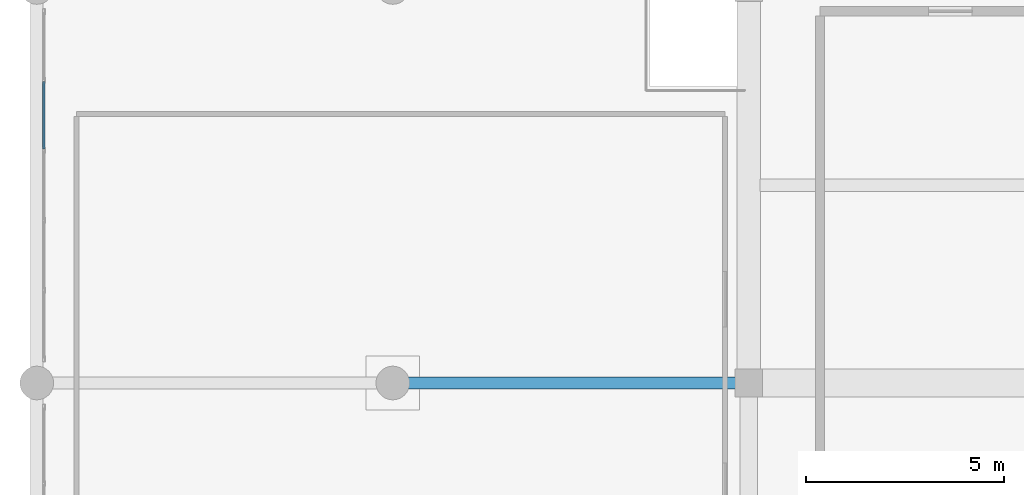
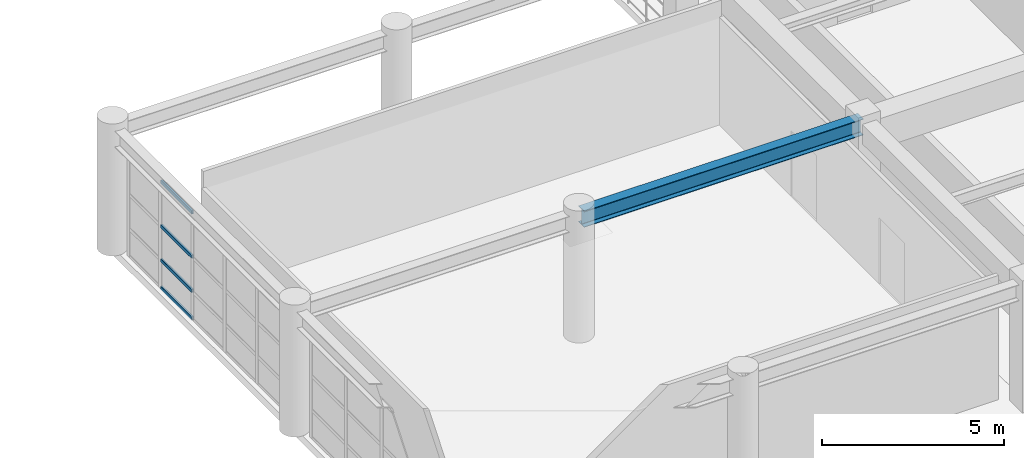
# One storey, part 22 of 133: 4 members, 1 beam, 1 element without a shape of its own.
"""IFC4 building model written with IfcOpenShell, lengths in metres."""

import ifcopenshell
import ifcopenshell.guid

model = None  # the IFC model being written
_history = None  # IfcOwnerHistory: only IFC2X3 demands one
_inside = {}  # id of a spatial element -> (the spatial element, [elements in it])
_under = {}  # id of a project, library or spatial element -> (it, [spatial elements below it])
_declared = {}  # id of a project -> (the project, [libraries it declares])
_typed = {}  # id of a type object -> (the type object, [elements of that type])
_made_of = {}  # id of a material, layer set ... -> (it, [elements and type objects made of it])


def new_model(schema):
    """Start an empty IFC model of exactly this schema.

    Asked for "IFC4X3", IfcOpenShell would pick the latest addendum, in which some entities
    have other attributes; the version numbers below select the first issue.
    IFC2X3 requires an IfcOwnerHistory on every rooted entity: one is made here for all.
    """
    global model, _history
    if schema == "IFC4X3":
        model = ifcopenshell.file(schema_version=(4, 3, 0, 0))
    else:
        model = ifcopenshell.file(schema=schema)
    _inside.clear()
    _under.clear()
    _declared.clear()
    _typed.clear()
    _made_of.clear()
    _history = None
    if model.schema == "IFC2X3":
        org = make("IfcOrganization", Name="unknown")
        user = make(
            "IfcPersonAndOrganization",
            ThePerson=make("IfcPerson", FamilyName="unknown"),
            TheOrganization=org,
        )
        app = make(
            "IfcApplication",
            ApplicationDeveloper=org,
            Version="unknown",
            ApplicationFullName="unknown",
            ApplicationIdentifier="unknown",
        )
        _history = make(
            "IfcOwnerHistory",
            OwningUser=user,
            OwningApplication=app,
            ChangeAction="ADDED",
            CreationDate=0,
        )
    return model


def make(cls, **values):
    """One entity of the class cls with the attributes given. An attribute that is None is left unset."""
    return model.create_entity(
        cls, **{name: value for name, value in values.items() if value is not None}
    )


def rooted(cls, **values):
    """An entity with a GlobalId (a new one), such as an element, a storey or a relation."""
    return make(cls, GlobalId=ifcopenshell.guid.new(), OwnerHistory=_history, **values)


def si_unit(unit_type, name, prefix=None):
    """IfcSIUnit, for example si_unit("LENGTHUNIT", "METRE", prefix="MILLI")."""
    return make("IfcSIUnit", UnitType=unit_type, Prefix=prefix, Name=name)


def assignment(units):
    """IfcUnitAssignment: the units of a project."""
    return None if units is None else make("IfcUnitAssignment", Units=units)


def point(xyz):
    """IfcCartesianPoint."""
    return None if xyz is None else make("IfcCartesianPoint", Coordinates=xyz)


def direction(xyz):
    """IfcDirection."""
    return None if xyz is None else make("IfcDirection", DirectionRatios=xyz)


def frame(location, z_axis=None, x_axis=None):
    """IfcAxis2Placement3D, a coordinate frame: its origin and axes. An axis left out is left unset."""
    return make(
        "IfcAxis2Placement3D",
        Location=point(location),
        Axis=direction(z_axis),
        RefDirection=direction(x_axis),
    )


def frame_2d(location, x_axis=None):
    """IfcAxis2Placement2D, a coordinate frame in the plane: its origin and x axis."""
    return make(
        "IfcAxis2Placement2D", Location=point(location), RefDirection=direction(x_axis)
    )


def origin():
    """The frame at (0, 0, 0) with its axes left unset."""
    return frame((0.0, 0.0, 0.0))


def origin_2d():
    """The frame at (0, 0) in the plane with its x axis left unset."""
    return frame_2d((0.0, 0.0))


def place(relative_to, where):
    """IfcLocalPlacement: puts the frame where relative to a parent placement (None: the world)."""
    return make(
        "IfcLocalPlacement", PlacementRelTo=relative_to, RelativePlacement=where
    )


def context(
    kind, dimensions, precision=None, world=None, true_north=None, identifier=None
):
    """IfcGeometricRepresentationContext, for example the 3D "Model" context."""
    return make(
        "IfcGeometricRepresentationContext",
        ContextIdentifier=identifier,
        ContextType=kind,
        CoordinateSpaceDimension=dimensions,
        Precision=precision,
        WorldCoordinateSystem=world,
        TrueNorth=true_north,
    )


def subcontext(parent, identifier, kind, view, scale=None):
    """IfcGeometricRepresentationSubContext, for example "Body" below "Model"."""
    return make(
        "IfcGeometricRepresentationSubContext",
        ContextIdentifier=identifier,
        ContextType=kind,
        ParentContext=parent,
        TargetScale=scale,
        TargetView=view,
    )


def project(units=None, contexts=None):
    """IfcProject with its units and contexts."""
    return rooted(
        "IfcProject",
        Name="project",
        RepresentationContexts=contexts,
        UnitsInContext=assignment(units),
    )


def spatial(cls, under=None, at=None, **own):
    """A site, building, storey or space (cls), placed at a placement, below another one or the project."""
    s = rooted(cls, ObjectPlacement=at, **own)
    if under is not None:
        _under.setdefault(under.id(), (under, []))[1].append(s)
    return s


def profile(cls, at=None, kind="AREA", **sizes):
    """A parametric profile (cls). Its sizes go by their IFC names, for example OverallWidth=200.0."""
    return make(cls, ProfileType=kind, Position=at, **sizes)


def hollow_rectangle(**sizes):
    """IfcRectangleHollowProfileDef."""
    return profile("IfcRectangleHollowProfileDef", **sizes)


def i_section(**sizes):
    """IfcIShapeProfileDef."""
    return profile("IfcIShapeProfileDef", **sizes)


def extrude(swept, where, along, depth):
    """IfcExtrudedAreaSolid: the profile swept, set in the frame where, extruded along a direction by depth."""
    return make(
        "IfcExtrudedAreaSolid",
        SweptArea=swept,
        Position=where,
        ExtrudedDirection=direction(along),
        Depth=depth,
    )


def shape(context_of_items, identifier, shape_type, items):
    """IfcShapeRepresentation: the items that make up one representation, for example the "Body"."""
    return make(
        "IfcShapeRepresentation",
        ContextOfItems=context_of_items,
        RepresentationIdentifier=identifier,
        RepresentationType=shape_type,
        Items=items,
    )


def material(Name=None, Category=None):
    """IfcMaterial."""
    return make("IfcMaterial", Name=Name, Category=Category)


def material_profile(
    of_material, cross_section, Name=None, Category=None, Priority=None
):
    """IfcMaterialProfile: a cross section and its material."""
    return make(
        "IfcMaterialProfile",
        Name=Name,
        Material=of_material,
        Profile=cross_section,
        Priority=Priority,
        Category=Category,
    )


def profile_set(profiles, Name=None, composite=None):
    """IfcMaterialProfileSet."""
    return make(
        "IfcMaterialProfileSet",
        Name=Name,
        MaterialProfiles=profiles,
        CompositeProfile=composite,
    )


def made_of(thing, what):
    """Note that an element or type object is made of a material, layer set ...; save() writes the relation."""
    if what is not None:
        _made_of.setdefault(what.id(), (what, []))[1].append(thing)
    return thing


def type_object(cls, material=None, **own):
    """A type object (cls), such as IfcWallType, which elements share."""
    return made_of(rooted(cls, **own), material)


def element(
    cls,
    number,
    at=None,
    inside=None,
    cuts=None,
    type_object=None,
    material=None,
    context=None,
    identifier="Body",
    shape_type=None,
    held_by="IfcProductDefinitionShape",
    body=None,
    shapes=None,
    **own,
):
    """One element of the class cls, such as IfcWall. Its Tag is "e" and its number.

    at: its placement. inside: the storey or other place that contains it. cuts: it is an
    opening in that element (IfcRelVoidsElement). A single representation is given by context,
    identifier, shape_type and body (its items); several are given by shapes. held_by: the class
    of the entity that holds the representations. save() writes the other relations.
    """
    e = rooted(cls, Tag="e%d" % number, ObjectPlacement=at, **own)
    if body is not None:
        shapes = [shape(context, identifier, shape_type, body)]
    if shapes is not None:
        e.Representation = make(held_by, Representations=shapes)
    if inside is not None:
        _inside.setdefault(inside.id(), (inside, []))[1].append(e)
    if cuts is not None:
        rooted(
            "IfcRelVoidsElement", RelatingBuildingElement=cuts, RelatedOpeningElement=e
        )
    if type_object is not None:
        _typed.setdefault(type_object.id(), (type_object, []))[1].append(e)
    return made_of(e, material)


def aggregate(whole, parts):
    """IfcRelAggregates: a whole, such as a stair, and the parts it consists of."""
    return rooted("IfcRelAggregates", RelatingObject=whole, RelatedObjects=parts)


def save(model, path):
    """Write the relations noted so far, then the file.

    IfcRelAggregates (storeys below a building ...), IfcRelContainedInSpatialStructure (elements
    in a storey), IfcRelDefinesByType, IfcRelAssociatesMaterial and IfcRelDeclares: one each for
    every whole, place, type object, material and project.
    """
    for whole, parts in _under.values():
        aggregate(whole, parts)
    for where, things in _inside.values():
        rooted(
            "IfcRelContainedInSpatialStructure",
            RelatedElements=things,
            RelatingStructure=where,
        )
    for kind, things in _typed.values():
        rooted("IfcRelDefinesByType", RelatedObjects=things, RelatingType=kind)
    for what, things in _made_of.values():
        rooted("IfcRelAssociatesMaterial", RelatedObjects=things, RelatingMaterial=what)
    for by, libraries in _declared.values():
        rooted("IfcRelDeclares", RelatingContext=by, RelatedDefinitions=libraries)
    model.write(path)


model = new_model("IFC4")

# Units and contexts
model_context = context("Model", 3, precision=1e-05, world=origin(), true_north=direction((0.0, 1.0)))
body_context = subcontext(model_context, "Body", "Model", "MODEL_VIEW")
ifc_project = project(units=[si_unit("LENGTHUNIT", "METRE"), si_unit("AREAUNIT", "SQUARE_METRE"), si_unit("VOLUMEUNIT", "CUBIC_METRE"), si_unit("PLANEANGLEUNIT", "RADIAN"), si_unit("MASSUNIT", "GRAM", prefix="KILO")], contexts=[model_context])

# Site, building, storey
site_placement = place(None, origin())
site = spatial("IfcSite", under=ifc_project, at=site_placement, CompositionType="ELEMENT")
building_placement = place(site_placement, origin())
building = spatial("IfcBuilding", under=site, at=building_placement, Name="Miravela Opera House", CompositionType="ELEMENT")
storey_placement = place(building_placement, frame((0.0, 0.0, 5.10009765625)))
storey = spatial("IfcBuildingStorey", under=building, at=storey_placement, Name="L01", CompositionType="ELEMENT", Elevation=5.10009765625)

# Curtain wall, members
ifc_material_1 = material(Name="Anodised architectural bronze aluminium 6063-T6", Category="aluminium")
curtain_wall_type = type_object("IfcCurtainWallType", Name="ARC-CW-07", PredefinedType="NOTDEFINED", material=ifc_material_1)
curtain_wall_placement = place(storey_placement, origin())
curtain_wall = element("IfcCurtainWall", 1, at=curtain_wall_placement, inside=storey, type_object=curtain_wall_type, Name="Courtyard Arcade Curtain Wall CW-L01-198", PredefinedType="NOTDEFINED")
ifc_material_profile_1 = material_profile(ifc_material_1, hollow_rectangle(XDim=0.06005859375, YDim=0.114990234375, WallThickness=0.00390625, InnerFilletRadius=0.001953125, OuterFilletRadius=0.00390625, at=origin_2d()), Name="CWT-60X115")
ifc_profile_set_1 = profile_set([ifc_material_profile_1])
member_type = type_object("IfcMemberType", Name="ARC-CWT-115", PredefinedType="USERDEFINED", material=ifc_profile_set_1)
member_1_placement = place(storey_placement, frame((0.179931640625, 23.9140625, 0.02978515625), z_axis=(0.0, 1.0, 0.0), x_axis=(-1.0, 0.0, 0.0)))
member_1 = element("IfcMember", 2, at=member_1_placement, type_object=member_type, Name="CW-07 transom 4.1", ObjectType="TRANSOM", PredefinedType="USERDEFINED", context=body_context, shape_type="SweptSolid", body=[
    extrude(hollow_rectangle(XDim=0.06005859375, YDim=0.114990234375, WallThickness=0.00390625, InnerFilletRadius=0.001953125, OuterFilletRadius=0.00390625, at=origin_2d()), origin(), (0.0, 0.0, 1.0), 1.7080078125),
])
member_2_placement = place(storey_placement, frame((0.179931640625, 23.9140625, 0.949951171875), z_axis=(0.0, 1.0, 0.0), x_axis=(-1.0, 0.0, 0.0)))
member_2 = element("IfcMember", 3, at=member_2_placement, type_object=member_type, Name="CW-07 transom 4.2", ObjectType="TRANSOM", PredefinedType="USERDEFINED", context=body_context, shape_type="SweptSolid", body=[
    extrude(hollow_rectangle(XDim=0.06005859375, YDim=0.114990234375, WallThickness=0.00390625, InnerFilletRadius=0.001953125, OuterFilletRadius=0.00390625, at=origin_2d()), origin(), (0.0, 0.0, 1.0), 1.7080078125),
])
member_3_placement = place(storey_placement, frame((0.179931640625, 23.9140625, 2.09375), z_axis=(0.0, 1.0, 0.0), x_axis=(-1.0, 0.0, 0.0)))
member_3 = element("IfcMember", 4, at=member_3_placement, type_object=member_type, Name="CW-07 transom 4.3", ObjectType="TRANSOM", PredefinedType="USERDEFINED", context=body_context, shape_type="SweptSolid", body=[
    extrude(hollow_rectangle(XDim=0.06005859375, YDim=0.114990234375, WallThickness=0.00390625, InnerFilletRadius=0.001953125, OuterFilletRadius=0.00390625, at=origin_2d()), origin(), (0.0, 0.0, 1.0), 1.7080078125),
])
member_4_placement = place(storey_placement, frame((0.179931640625, 23.9140625, 3.579833984375), z_axis=(0.0, 1.0, 0.0), x_axis=(-1.0, 0.0, 0.0)))
member_4 = element("IfcMember", 5, at=member_4_placement, type_object=member_type, Name="CW-07 transom 4.4", ObjectType="TRANSOM", PredefinedType="USERDEFINED", context=body_context, shape_type="SweptSolid", body=[
    extrude(hollow_rectangle(XDim=0.06005859375, YDim=0.114990234375, WallThickness=0.00390625, InnerFilletRadius=0.001953125, OuterFilletRadius=0.00390625, at=origin_2d()), origin(), (0.0, 0.0, 1.0), 1.7080078125),
])
aggregate(curtain_wall, [member_1, member_2, member_3, member_4])

# Beam
ifc_material_2 = material(Name="Structural steel ASTM A992 Gr. 50", Category="steel")
ifc_material_profile_2 = material_profile(ifc_material_2, i_section(OverallWidth=0.31201171875, OverallDepth=0.54296875, WebThickness=0.0126953125, FlangeThickness=0.020263671875, FilletRadius=0.01611328125, at=origin_2d()), Name="W530X150")
ifc_profile_set_2 = profile_set([ifc_material_profile_2])
beam_type = type_object("IfcBeamType", Name="STR-BM-W530X150", PredefinedType="BEAM", material=ifc_profile_set_2)
beam_placement = place(storey_placement, frame((9.080078125, 18.0, 3.908447265625), z_axis=(1.0, 0.0, 0.0), x_axis=(0.0, 1.0, 0.0)))
element("IfcBeam", 6, at=beam_placement, inside=storey, type_object=beam_type, Name="Roof King-Post Transverse Tie Girder ROOF-V5-SOUTH T2.2", PredefinedType="BEAM", context=body_context, shape_type="SweptSolid", body=[
    extrude(i_section(OverallWidth=0.31201171875, OverallDepth=0.54296875, WebThickness=0.0126953125, FlangeThickness=0.020263671875, FilletRadius=0.01611328125, at=origin_2d()), origin(), (0.0, 0.0, 1.0), 8.83984375),
])

save(model, "model.ifc")
